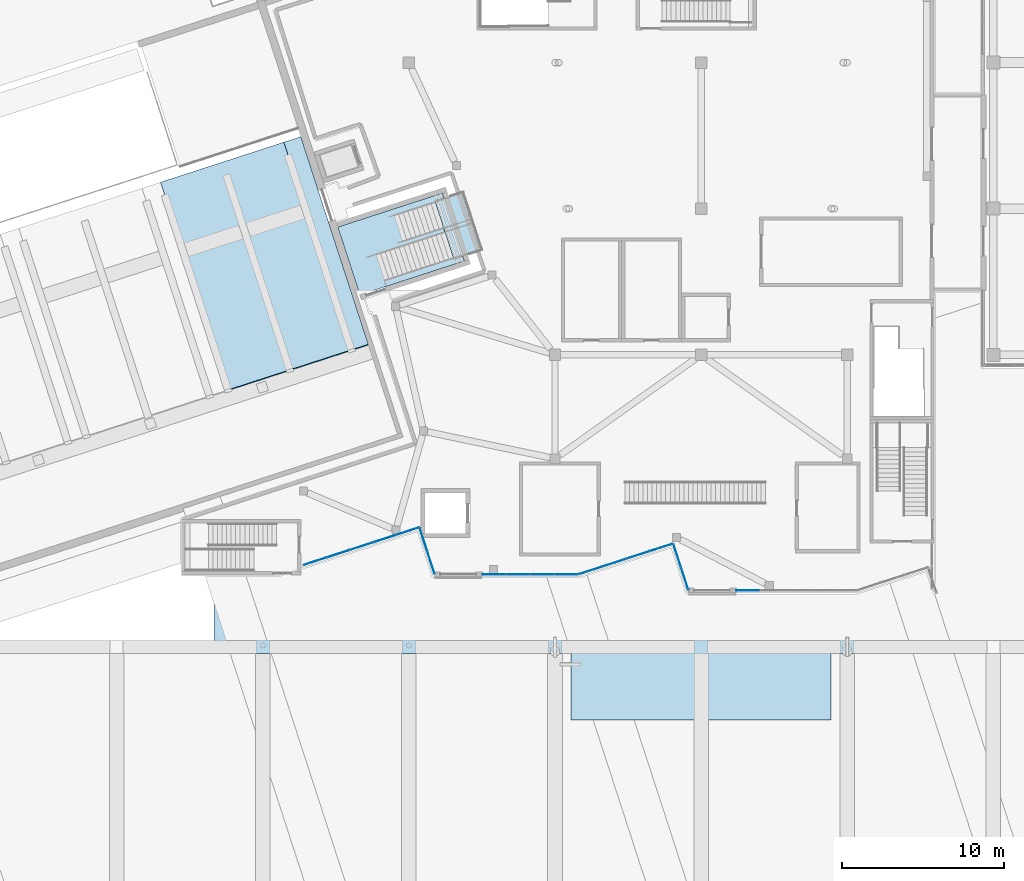
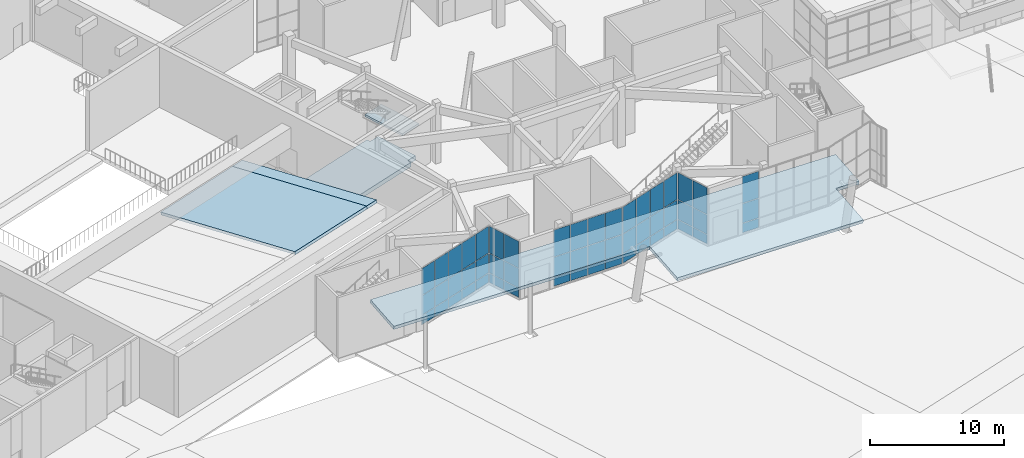
# One storey, part 44 of 72: 54 plates, 5 slabs, 7 elements without a shape of their own.
"""IFC4 building model written with IfcOpenShell, lengths in metres."""

from ifc_helpers import new_model, si_unit, direction, frame, origin, origin_2d, place, context, subcontext, project, spatial, polyline, rectangle, outline, extrude, material, layer, layer_set, type_object, element, aggregate, save


model = new_model("IFC4")

# Units and contexts
model_context = context("Model", 3, precision=1e-05, world=origin(), true_north=direction((0.0, 1.0)))
body_context = subcontext(model_context, "Body", "Model", "MODEL_VIEW")
ifc_project = project(units=[si_unit("LENGTHUNIT", "METRE"), si_unit("AREAUNIT", "SQUARE_METRE"), si_unit("VOLUMEUNIT", "CUBIC_METRE"), si_unit("PLANEANGLEUNIT", "RADIAN"), si_unit("MASSUNIT", "GRAM", prefix="KILO")], contexts=[model_context])

# Site, building, storey
site_placement = place(None, origin())
site = spatial("IfcSite", under=ifc_project, at=site_placement, CompositionType="ELEMENT")
building_placement = place(site_placement, origin())
building = spatial("IfcBuilding", under=site, at=building_placement, Name="Tuart Plaza Theatre", CompositionType="ELEMENT")
storey_placement = place(building_placement, origin())
storey = spatial("IfcBuildingStorey", under=building, at=storey_placement, Name="L00", CompositionType="ELEMENT", Elevation=0.0)

# Curtain wall, plates
ifc_material_1 = material(Name="Aluminium and glass", Category="aluminium")
ifc_layer_1 = layer(ifc_material_1, 0.10009765625)
ifc_layer_set_1 = layer_set([ifc_layer_1], Name="CURTAIN WALL 1500 module")
curtain_wall_type = type_object("IfcCurtainWallType", Name="CURTAIN WALL 1500 module", PredefinedType="NOTDEFINED", material=ifc_layer_set_1)
curtain_wall_1_placement = place(storey_placement, origin())
curtain_wall_1 = element("IfcCurtainWall", 1, at=curtain_wall_1_placement, inside=storey, type_object=curtain_wall_type, Name="CW1", PredefinedType="NOTDEFINED")
ifc_material_2 = material(Name="Glass", Category="glass")
ifc_layer_2 = layer(ifc_material_2, 0.028076171875)
ifc_layer_set_2 = layer_set([ifc_layer_2], Name="CURTAIN PANEL double glazed 28")
plate_type = type_object("IfcPlateType", Name="CURTAIN PANEL double glazed 28", PredefinedType="CURTAIN_PANEL", material=ifc_layer_set_2)
plate_1_placement = place(storey_placement, frame((72.2275390625, 43.281494140625, 0.0498046875), z_axis=(0.0, 0.0, 1.0), x_axis=(0.951066723155, 0.308985579126, 0.0)))
plate_1 = element("IfcPlate", 2, at=plate_1_placement, type_object=plate_type, Name="CW1 panel 1.1", PredefinedType="CURTAIN_PANEL", context=body_context, shape_type="SweptSolid", body=[
    extrude(rectangle(XDim=1.429931640625, YDim=0.028076171875, at=origin_2d()), origin(), (0.0, 0.0, 1.0), 0.824951171875),
])
plate_2_placement = place(storey_placement, frame((72.2275390625, 43.281494140625, 0.925048828125), z_axis=(0.0, 0.0, 1.0), x_axis=(0.951066723155, 0.308985579126, 0.0)))
plate_2 = element("IfcPlate", 3, at=plate_2_placement, type_object=plate_type, Name="CW1 panel 1.2", PredefinedType="CURTAIN_PANEL", context=body_context, shape_type="SweptSolid", body=[
    extrude(rectangle(XDim=1.429931640625, YDim=0.028076171875, at=origin_2d()), origin(), (0.0, 0.0, 1.0), 1.75),
])
plate_3_placement = place(storey_placement, frame((72.2275390625, 43.281494140625, 2.72509765625), z_axis=(0.0, 0.0, 1.0), x_axis=(0.951066723155, 0.308985579126, 0.0)))
plate_3 = element("IfcPlate", 4, at=plate_3_placement, type_object=plate_type, Name="CW1 panel 1.3", PredefinedType="CURTAIN_PANEL", context=body_context, shape_type="SweptSolid", body=[
    extrude(rectangle(XDim=1.429931640625, YDim=0.028076171875, at=origin_2d()), origin(), (0.0, 0.0, 1.0), 2.425048828125),
])
plate_4_placement = place(storey_placement, frame((73.64697265625, 43.742431640625, 0.0498046875), z_axis=(0.0, 0.0, 1.0), x_axis=(0.951066723155, 0.308985579126, 0.0)))
plate_4 = element("IfcPlate", 5, at=plate_4_placement, type_object=plate_type, Name="CW1 panel 2.1", PredefinedType="CURTAIN_PANEL", context=body_context, shape_type="SweptSolid", body=[
    extrude(rectangle(XDim=1.454833984375, YDim=0.028076171875, at=origin_2d()), origin(), (0.0, 0.0, 1.0), 0.824951171875),
])
plate_5_placement = place(storey_placement, frame((73.64697265625, 43.742431640625, 0.925048828125), z_axis=(0.0, 0.0, 1.0), x_axis=(0.951066723155, 0.308985579126, 0.0)))
plate_5 = element("IfcPlate", 6, at=plate_5_placement, type_object=plate_type, Name="CW1 panel 2.2", PredefinedType="CURTAIN_PANEL", context=body_context, shape_type="SweptSolid", body=[
    extrude(rectangle(XDim=1.454833984375, YDim=0.028076171875, at=origin_2d()), origin(), (0.0, 0.0, 1.0), 1.75),
])
plate_6_placement = place(storey_placement, frame((73.64697265625, 43.742431640625, 2.72509765625), z_axis=(0.0, 0.0, 1.0), x_axis=(0.951066723155, 0.308985579126, 0.0)))
plate_6 = element("IfcPlate", 7, at=plate_6_placement, type_object=plate_type, Name="CW1 panel 2.3", PredefinedType="CURTAIN_PANEL", context=body_context, shape_type="SweptSolid", body=[
    extrude(rectangle(XDim=1.454833984375, YDim=0.028076171875, at=origin_2d()), origin(), (0.0, 0.0, 1.0), 2.425048828125),
])
plate_7_placement = place(storey_placement, frame((75.078125, 44.20751953125, 0.0498046875), z_axis=(0.0, 0.0, 1.0), x_axis=(0.951066723155, 0.308985579126, 0.0)))
plate_7 = element("IfcPlate", 8, at=plate_7_placement, type_object=plate_type, Name="CW1 panel 3.1", PredefinedType="CURTAIN_PANEL", context=body_context, shape_type="SweptSolid", body=[
    extrude(rectangle(XDim=1.454833984375, YDim=0.028076171875, at=origin_2d()), origin(), (0.0, 0.0, 1.0), 0.824951171875),
])
plate_8_placement = place(storey_placement, frame((75.078125, 44.20751953125, 0.925048828125), z_axis=(0.0, 0.0, 1.0), x_axis=(0.951066723155, 0.308985579126, 0.0)))
plate_8 = element("IfcPlate", 9, at=plate_8_placement, type_object=plate_type, Name="CW1 panel 3.2", PredefinedType="CURTAIN_PANEL", context=body_context, shape_type="SweptSolid", body=[
    extrude(rectangle(XDim=1.454833984375, YDim=0.028076171875, at=origin_2d()), origin(), (0.0, 0.0, 1.0), 1.75),
])
plate_9_placement = place(storey_placement, frame((75.078125, 44.20751953125, 2.72509765625), z_axis=(0.0, 0.0, 1.0), x_axis=(0.951066723155, 0.308985579126, 0.0)))
plate_9 = element("IfcPlate", 10, at=plate_9_placement, type_object=plate_type, Name="CW1 panel 3.3", PredefinedType="CURTAIN_PANEL", context=body_context, shape_type="SweptSolid", body=[
    extrude(rectangle(XDim=1.454833984375, YDim=0.028076171875, at=origin_2d()), origin(), (0.0, 0.0, 1.0), 2.425048828125),
])
plate_10_placement = place(storey_placement, frame((76.509521484375, 44.672607421875, 0.0498046875), z_axis=(0.0, 0.0, 1.0), x_axis=(0.951066723155, 0.308985579126, 0.0)))
plate_10 = element("IfcPlate", 11, at=plate_10_placement, type_object=plate_type, Name="CW1 panel 4.1", PredefinedType="CURTAIN_PANEL", context=body_context, shape_type="SweptSolid", body=[
    extrude(rectangle(XDim=1.454833984375, YDim=0.028076171875, at=origin_2d()), origin(), (0.0, 0.0, 1.0), 0.824951171875),
])
plate_11_placement = place(storey_placement, frame((76.509521484375, 44.672607421875, 0.925048828125), z_axis=(0.0, 0.0, 1.0), x_axis=(0.951066723155, 0.308985579126, 0.0)))
plate_11 = element("IfcPlate", 12, at=plate_11_placement, type_object=plate_type, Name="CW1 panel 4.2", PredefinedType="CURTAIN_PANEL", context=body_context, shape_type="SweptSolid", body=[
    extrude(rectangle(XDim=1.454833984375, YDim=0.028076171875, at=origin_2d()), origin(), (0.0, 0.0, 1.0), 1.75),
])
plate_12_placement = place(storey_placement, frame((76.509521484375, 44.672607421875, 2.72509765625), z_axis=(0.0, 0.0, 1.0), x_axis=(0.951066723155, 0.308985579126, 0.0)))
plate_12 = element("IfcPlate", 13, at=plate_12_placement, type_object=plate_type, Name="CW1 panel 4.3", PredefinedType="CURTAIN_PANEL", context=body_context, shape_type="SweptSolid", body=[
    extrude(rectangle(XDim=1.454833984375, YDim=0.028076171875, at=origin_2d()), origin(), (0.0, 0.0, 1.0), 2.425048828125),
])
plate_13_placement = place(storey_placement, frame((77.9287109375, 45.133544921875, 0.0498046875), z_axis=(0.0, 0.0, 1.0), x_axis=(0.951066723155, 0.308985579126, 0.0)))
plate_13 = element("IfcPlate", 14, at=plate_13_placement, type_object=plate_type, Name="CW1 panel 5.1", PredefinedType="CURTAIN_PANEL", context=body_context, shape_type="SweptSolid", body=[
    extrude(rectangle(XDim=1.429931640625, YDim=0.028076171875, at=origin_2d()), origin(), (0.0, 0.0, 1.0), 0.824951171875),
])
plate_14_placement = place(storey_placement, frame((77.9287109375, 45.133544921875, 0.925048828125), z_axis=(0.0, 0.0, 1.0), x_axis=(0.951066723155, 0.308985579126, 0.0)))
plate_14 = element("IfcPlate", 15, at=plate_14_placement, type_object=plate_type, Name="CW1 panel 5.2", PredefinedType="CURTAIN_PANEL", context=body_context, shape_type="SweptSolid", body=[
    extrude(rectangle(XDim=1.429931640625, YDim=0.028076171875, at=origin_2d()), origin(), (0.0, 0.0, 1.0), 1.75),
])
plate_15_placement = place(storey_placement, frame((77.9287109375, 45.133544921875, 2.72509765625), z_axis=(0.0, 0.0, 1.0), x_axis=(0.951066723155, 0.308985579126, 0.0)))
plate_15 = element("IfcPlate", 16, at=plate_15_placement, type_object=plate_type, Name="CW1 panel 5.3", PredefinedType="CURTAIN_PANEL", context=body_context, shape_type="SweptSolid", body=[
    extrude(rectangle(XDim=1.429931640625, YDim=0.028076171875, at=origin_2d()), origin(), (0.0, 0.0, 1.0), 2.425048828125),
])
aggregate(curtain_wall_1, [plate_1, plate_2, plate_3, plate_4, plate_5, plate_6, plate_7, plate_8, plate_9, plate_10, plate_11, plate_12, plate_13, plate_14, plate_15])

curtain_wall_2_placement = place(storey_placement, origin())
curtain_wall_2 = element("IfcCurtainWall", 17, at=curtain_wall_2_placement, inside=storey, type_object=curtain_wall_type, Name="CW2", PredefinedType="NOTDEFINED")
plate_16_placement = place(storey_placement, frame((78.89501953125, 44.635009765625, 0.0498046875), z_axis=(0.0, 0.0, 1.0), x_axis=(0.309018232516, -0.951056113998, 0.0)))
plate_16 = element("IfcPlate", 18, at=plate_16_placement, type_object=plate_type, Name="CW2 panel 1.1", PredefinedType="CURTAIN_PANEL", context=body_context, shape_type="SweptSolid", body=[
    extrude(rectangle(XDim=1.4453125, YDim=0.028076171875, at=origin_2d()), origin(), (0.0, 0.0, 1.0), 0.824951171875),
])
plate_17_placement = place(storey_placement, frame((78.89501953125, 44.635009765625, 0.925048828125), z_axis=(0.0, 0.0, 1.0), x_axis=(0.309018232516, -0.951056113998, 0.0)))
plate_17 = element("IfcPlate", 19, at=plate_17_placement, type_object=plate_type, Name="CW2 panel 1.2", PredefinedType="CURTAIN_PANEL", context=body_context, shape_type="SweptSolid", body=[
    extrude(rectangle(XDim=1.4453125, YDim=0.028076171875, at=origin_2d()), origin(), (0.0, 0.0, 1.0), 1.75),
])
plate_18_placement = place(storey_placement, frame((78.89501953125, 44.635009765625, 2.72509765625), z_axis=(0.0, 0.0, 1.0), x_axis=(0.309018232516, -0.951056113998, 0.0)))
plate_18 = element("IfcPlate", 20, at=plate_18_placement, type_object=plate_type, Name="CW2 panel 1.3", PredefinedType="CURTAIN_PANEL", context=body_context, shape_type="SweptSolid", body=[
    extrude(rectangle(XDim=1.4453125, YDim=0.028076171875, at=origin_2d()), origin(), (0.0, 0.0, 1.0), 2.425048828125),
])
plate_19_placement = place(storey_placement, frame((79.357177734375, 43.212890625, 0.0498046875), z_axis=(0.0, 0.0, 1.0), x_axis=(0.309018232516, -0.951056113998, 0.0)))
plate_19 = element("IfcPlate", 21, at=plate_19_placement, type_object=plate_type, Name="CW2 panel 2.1", PredefinedType="CURTAIN_PANEL", context=body_context, shape_type="SweptSolid", body=[
    extrude(rectangle(XDim=1.4453125, YDim=0.028076171875, at=origin_2d()), origin(), (0.0, 0.0, 1.0), 0.824951171875),
])
plate_20_placement = place(storey_placement, frame((79.357177734375, 43.212890625, 0.925048828125), z_axis=(0.0, 0.0, 1.0), x_axis=(0.309018232516, -0.951056113998, 0.0)))
plate_20 = element("IfcPlate", 22, at=plate_20_placement, type_object=plate_type, Name="CW2 panel 2.2", PredefinedType="CURTAIN_PANEL", context=body_context, shape_type="SweptSolid", body=[
    extrude(rectangle(XDim=1.4453125, YDim=0.028076171875, at=origin_2d()), origin(), (0.0, 0.0, 1.0), 1.75),
])
plate_21_placement = place(storey_placement, frame((79.357177734375, 43.212890625, 2.72509765625), z_axis=(0.0, 0.0, 1.0), x_axis=(0.309018232516, -0.951056113998, 0.0)))
plate_21 = element("IfcPlate", 23, at=plate_21_placement, type_object=plate_type, Name="CW2 panel 2.3", PredefinedType="CURTAIN_PANEL", context=body_context, shape_type="SweptSolid", body=[
    extrude(rectangle(XDim=1.4453125, YDim=0.028076171875, at=origin_2d()), origin(), (0.0, 0.0, 1.0), 2.425048828125),
])
aggregate(curtain_wall_2, [plate_16, plate_17, plate_18, plate_19, plate_20, plate_21])

curtain_wall_3_placement = place(storey_placement, origin())
curtain_wall_3 = element("IfcCurtainWall", 24, at=curtain_wall_3_placement, inside=storey, type_object=curtain_wall_type, Name="CW3", PredefinedType="NOTDEFINED")
plate_22_placement = place(storey_placement, frame((83.24658203125, 42.47802734375, 0.0498046875), z_axis=(0.0, 0.0, 1.0), x_axis=(1.0, 0.0, 0.0)))
plate_22 = element("IfcPlate", 25, at=plate_22_placement, type_object=plate_type, Name="CW3 panel 1.1", PredefinedType="CURTAIN_PANEL", context=body_context, shape_type="SweptSolid", body=[
    extrude(rectangle(XDim=1.4189453125, YDim=0.028076171875, at=origin_2d()), origin(), (0.0, 0.0, 1.0), 0.824951171875),
])
plate_23_placement = place(storey_placement, frame((83.24658203125, 42.47802734375, 0.925048828125), z_axis=(0.0, 0.0, 1.0), x_axis=(1.0, 0.0, 0.0)))
plate_23 = element("IfcPlate", 26, at=plate_23_placement, type_object=plate_type, Name="CW3 panel 1.2", PredefinedType="CURTAIN_PANEL", context=body_context, shape_type="SweptSolid", body=[
    extrude(rectangle(XDim=1.4189453125, YDim=0.028076171875, at=origin_2d()), origin(), (0.0, 0.0, 1.0), 1.75),
])
plate_24_placement = place(storey_placement, frame((83.24658203125, 42.47802734375, 2.72509765625), z_axis=(0.0, 0.0, 1.0), x_axis=(1.0, 0.0, 0.0)))
plate_24 = element("IfcPlate", 27, at=plate_24_placement, type_object=plate_type, Name="CW3 panel 1.3", PredefinedType="CURTAIN_PANEL", context=body_context, shape_type="SweptSolid", body=[
    extrude(rectangle(XDim=1.4189453125, YDim=0.028076171875, at=origin_2d()), origin(), (0.0, 0.0, 1.0), 2.425048828125),
])
plate_25_placement = place(storey_placement, frame((84.72802734375, 42.47802734375, 0.0498046875), z_axis=(0.0, 0.0, 1.0), x_axis=(1.0, 0.0, 0.0)))
plate_25 = element("IfcPlate", 28, at=plate_25_placement, type_object=plate_type, Name="CW3 panel 2.1", PredefinedType="CURTAIN_PANEL", context=body_context, shape_type="SweptSolid", body=[
    extrude(rectangle(XDim=1.444091796875, YDim=0.028076171875, at=origin_2d()), origin(), (0.0, 0.0, 1.0), 0.824951171875),
])
plate_26_placement = place(storey_placement, frame((84.72802734375, 42.47802734375, 0.925048828125), z_axis=(0.0, 0.0, 1.0), x_axis=(1.0, 0.0, 0.0)))
plate_26 = element("IfcPlate", 29, at=plate_26_placement, type_object=plate_type, Name="CW3 panel 2.2", PredefinedType="CURTAIN_PANEL", context=body_context, shape_type="SweptSolid", body=[
    extrude(rectangle(XDim=1.444091796875, YDim=0.028076171875, at=origin_2d()), origin(), (0.0, 0.0, 1.0), 1.75),
])
plate_27_placement = place(storey_placement, frame((84.72802734375, 42.47802734375, 2.72509765625), z_axis=(0.0, 0.0, 1.0), x_axis=(1.0, 0.0, 0.0)))
plate_27 = element("IfcPlate", 30, at=plate_27_placement, type_object=plate_type, Name="CW3 panel 2.3", PredefinedType="CURTAIN_PANEL", context=body_context, shape_type="SweptSolid", body=[
    extrude(rectangle(XDim=1.444091796875, YDim=0.028076171875, at=origin_2d()), origin(), (0.0, 0.0, 1.0), 2.425048828125),
])
plate_28_placement = place(storey_placement, frame((86.22216796875, 42.47802734375, 0.0498046875), z_axis=(0.0, 0.0, 1.0), x_axis=(1.0, 0.0, 0.0)))
plate_28 = element("IfcPlate", 31, at=plate_28_placement, type_object=plate_type, Name="CW3 panel 3.1", PredefinedType="CURTAIN_PANEL", context=body_context, shape_type="SweptSolid", body=[
    extrude(rectangle(XDim=1.444091796875, YDim=0.028076171875, at=origin_2d()), origin(), (0.0, 0.0, 1.0), 0.824951171875),
])
plate_29_placement = place(storey_placement, frame((86.22216796875, 42.47802734375, 0.925048828125), z_axis=(0.0, 0.0, 1.0), x_axis=(1.0, 0.0, 0.0)))
plate_29 = element("IfcPlate", 32, at=plate_29_placement, type_object=plate_type, Name="CW3 panel 3.2", PredefinedType="CURTAIN_PANEL", context=body_context, shape_type="SweptSolid", body=[
    extrude(rectangle(XDim=1.444091796875, YDim=0.028076171875, at=origin_2d()), origin(), (0.0, 0.0, 1.0), 1.75),
])
plate_30_placement = place(storey_placement, frame((86.22216796875, 42.47802734375, 2.72509765625), z_axis=(0.0, 0.0, 1.0), x_axis=(1.0, 0.0, 0.0)))
plate_30 = element("IfcPlate", 33, at=plate_30_placement, type_object=plate_type, Name="CW3 panel 3.3", PredefinedType="CURTAIN_PANEL", context=body_context, shape_type="SweptSolid", body=[
    extrude(rectangle(XDim=1.444091796875, YDim=0.028076171875, at=origin_2d()), origin(), (0.0, 0.0, 1.0), 2.425048828125),
])
plate_31_placement = place(storey_placement, frame((87.70361328125, 42.47802734375, 0.0498046875), z_axis=(0.0, 0.0, 1.0), x_axis=(1.0, 0.0, 0.0)))
plate_31 = element("IfcPlate", 34, at=plate_31_placement, type_object=plate_type, Name="CW3 panel 4.1", PredefinedType="CURTAIN_PANEL", context=body_context, shape_type="SweptSolid", body=[
    extrude(rectangle(XDim=1.4189453125, YDim=0.028076171875, at=origin_2d()), origin(), (0.0, 0.0, 1.0), 0.824951171875),
])
plate_32_placement = place(storey_placement, frame((87.70361328125, 42.47802734375, 0.925048828125), z_axis=(0.0, 0.0, 1.0), x_axis=(1.0, 0.0, 0.0)))
plate_32 = element("IfcPlate", 35, at=plate_32_placement, type_object=plate_type, Name="CW3 panel 4.2", PredefinedType="CURTAIN_PANEL", context=body_context, shape_type="SweptSolid", body=[
    extrude(rectangle(XDim=1.4189453125, YDim=0.028076171875, at=origin_2d()), origin(), (0.0, 0.0, 1.0), 1.75),
])
plate_33_placement = place(storey_placement, frame((87.70361328125, 42.47802734375, 2.72509765625), z_axis=(0.0, 0.0, 1.0), x_axis=(1.0, 0.0, 0.0)))
plate_33 = element("IfcPlate", 36, at=plate_33_placement, type_object=plate_type, Name="CW3 panel 4.3", PredefinedType="CURTAIN_PANEL", context=body_context, shape_type="SweptSolid", body=[
    extrude(rectangle(XDim=1.4189453125, YDim=0.028076171875, at=origin_2d()), origin(), (0.0, 0.0, 1.0), 2.425048828125),
])
aggregate(curtain_wall_3, [plate_22, plate_23, plate_24, plate_25, plate_26, plate_27, plate_28, plate_29, plate_30, plate_31, plate_32, plate_33])

curtain_wall_4_placement = place(storey_placement, origin())
curtain_wall_4 = element("IfcCurtainWall", 37, at=curtain_wall_4_placement, inside=storey, type_object=curtain_wall_type, Name="CW4", PredefinedType="NOTDEFINED")
plate_34_placement = place(storey_placement, frame((89.203369140625, 42.718505859375, 0.0498046875), z_axis=(0.0, 0.0, 1.0), x_axis=(0.95105611396, 0.309018232632, 0.0)))
plate_34 = element("IfcPlate", 38, at=plate_34_placement, type_object=plate_type, Name="CW4 panel 1.1", PredefinedType="CURTAIN_PANEL", context=body_context, shape_type="SweptSolid", body=[
    extrude(rectangle(XDim=1.45654296875, YDim=0.028076171875, at=origin_2d()), origin(), (0.0, 0.0, 1.0), 0.824951171875),
])
plate_35_placement = place(storey_placement, frame((89.203369140625, 42.718505859375, 0.925048828125), z_axis=(0.0, 0.0, 1.0), x_axis=(0.95105611396, 0.309018232632, 0.0)))
plate_35 = element("IfcPlate", 39, at=plate_35_placement, type_object=plate_type, Name="CW4 panel 1.2", PredefinedType="CURTAIN_PANEL", context=body_context, shape_type="SweptSolid", body=[
    extrude(rectangle(XDim=1.45654296875, YDim=0.028076171875, at=origin_2d()), origin(), (0.0, 0.0, 1.0), 1.75),
])
plate_36_placement = place(storey_placement, frame((89.203369140625, 42.718505859375, 2.72509765625), z_axis=(0.0, 0.0, 1.0), x_axis=(0.95105611396, 0.309018232632, 0.0)))
plate_36 = element("IfcPlate", 40, at=plate_36_placement, type_object=plate_type, Name="CW4 panel 1.3", PredefinedType="CURTAIN_PANEL", context=body_context, shape_type="SweptSolid", body=[
    extrude(rectangle(XDim=1.45654296875, YDim=0.028076171875, at=origin_2d()), origin(), (0.0, 0.0, 1.0), 2.425048828125),
])
plate_37_placement = place(storey_placement, frame((90.64794921875, 43.18798828125, 0.0498046875), z_axis=(0.0, 0.0, 1.0), x_axis=(0.95105611396, 0.309018232632, 0.0)))
plate_37 = element("IfcPlate", 41, at=plate_37_placement, type_object=plate_type, Name="CW4 panel 2.1", PredefinedType="CURTAIN_PANEL", context=body_context, shape_type="SweptSolid", body=[
    extrude(rectangle(XDim=1.4814453125, YDim=0.028076171875, at=origin_2d()), origin(), (0.0, 0.0, 1.0), 0.824951171875),
])
plate_38_placement = place(storey_placement, frame((90.64794921875, 43.18798828125, 0.925048828125), z_axis=(0.0, 0.0, 1.0), x_axis=(0.95105611396, 0.309018232632, 0.0)))
plate_38 = element("IfcPlate", 42, at=plate_38_placement, type_object=plate_type, Name="CW4 panel 2.2", PredefinedType="CURTAIN_PANEL", context=body_context, shape_type="SweptSolid", body=[
    extrude(rectangle(XDim=1.4814453125, YDim=0.028076171875, at=origin_2d()), origin(), (0.0, 0.0, 1.0), 1.75),
])
plate_39_placement = place(storey_placement, frame((90.64794921875, 43.18798828125, 2.72509765625), z_axis=(0.0, 0.0, 1.0), x_axis=(0.95105611396, 0.309018232632, 0.0)))
plate_39 = element("IfcPlate", 43, at=plate_39_placement, type_object=plate_type, Name="CW4 panel 2.3", PredefinedType="CURTAIN_PANEL", context=body_context, shape_type="SweptSolid", body=[
    extrude(rectangle(XDim=1.4814453125, YDim=0.028076171875, at=origin_2d()), origin(), (0.0, 0.0, 1.0), 2.425048828125),
])
plate_40_placement = place(storey_placement, frame((92.1044921875, 43.6611328125, 0.0498046875), z_axis=(0.0, 0.0, 1.0), x_axis=(0.95105611396, 0.309018232632, 0.0)))
plate_40 = element("IfcPlate", 44, at=plate_40_placement, type_object=plate_type, Name="CW4 panel 3.1", PredefinedType="CURTAIN_PANEL", context=body_context, shape_type="SweptSolid", body=[
    extrude(rectangle(XDim=1.4814453125, YDim=0.028076171875, at=origin_2d()), origin(), (0.0, 0.0, 1.0), 0.824951171875),
])
plate_41_placement = place(storey_placement, frame((92.1044921875, 43.6611328125, 0.925048828125), z_axis=(0.0, 0.0, 1.0), x_axis=(0.95105611396, 0.309018232632, 0.0)))
plate_41 = element("IfcPlate", 45, at=plate_41_placement, type_object=plate_type, Name="CW4 panel 3.2", PredefinedType="CURTAIN_PANEL", context=body_context, shape_type="SweptSolid", body=[
    extrude(rectangle(XDim=1.4814453125, YDim=0.028076171875, at=origin_2d()), origin(), (0.0, 0.0, 1.0), 1.75),
])
plate_42_placement = place(storey_placement, frame((92.1044921875, 43.6611328125, 2.72509765625), z_axis=(0.0, 0.0, 1.0), x_axis=(0.95105611396, 0.309018232632, 0.0)))
plate_42 = element("IfcPlate", 46, at=plate_42_placement, type_object=plate_type, Name="CW4 panel 3.3", PredefinedType="CURTAIN_PANEL", context=body_context, shape_type="SweptSolid", body=[
    extrude(rectangle(XDim=1.4814453125, YDim=0.028076171875, at=origin_2d()), origin(), (0.0, 0.0, 1.0), 2.425048828125),
])
plate_43_placement = place(storey_placement, frame((93.549072265625, 44.130615234375, 0.0498046875), z_axis=(0.0, 0.0, 1.0), x_axis=(0.95105611396, 0.309018232632, 0.0)))
plate_43 = element("IfcPlate", 47, at=plate_43_placement, type_object=plate_type, Name="CW4 panel 4.1", PredefinedType="CURTAIN_PANEL", context=body_context, shape_type="SweptSolid", body=[
    extrude(rectangle(XDim=1.45654296875, YDim=0.028076171875, at=origin_2d()), origin(), (0.0, 0.0, 1.0), 0.824951171875),
])
plate_44_placement = place(storey_placement, frame((93.549072265625, 44.130615234375, 0.925048828125), z_axis=(0.0, 0.0, 1.0), x_axis=(0.95105611396, 0.309018232632, 0.0)))
plate_44 = element("IfcPlate", 48, at=plate_44_placement, type_object=plate_type, Name="CW4 panel 4.2", PredefinedType="CURTAIN_PANEL", context=body_context, shape_type="SweptSolid", body=[
    extrude(rectangle(XDim=1.45654296875, YDim=0.028076171875, at=origin_2d()), origin(), (0.0, 0.0, 1.0), 1.75),
])
plate_45_placement = place(storey_placement, frame((93.549072265625, 44.130615234375, 2.72509765625), z_axis=(0.0, 0.0, 1.0), x_axis=(0.95105611396, 0.309018232632, 0.0)))
plate_45 = element("IfcPlate", 49, at=plate_45_placement, type_object=plate_type, Name="CW4 panel 4.3", PredefinedType="CURTAIN_PANEL", context=body_context, shape_type="SweptSolid", body=[
    extrude(rectangle(XDim=1.45654296875, YDim=0.028076171875, at=origin_2d()), origin(), (0.0, 0.0, 1.0), 2.425048828125),
])
aggregate(curtain_wall_4, [plate_34, plate_35, plate_36, plate_37, plate_38, plate_39, plate_40, plate_41, plate_42, plate_43, plate_44, plate_45])

curtain_wall_5_placement = place(storey_placement, origin())
curtain_wall_5 = element("IfcCurtainWall", 50, at=curtain_wall_5_placement, inside=storey, type_object=curtain_wall_type, Name="CW5", PredefinedType="NOTDEFINED")
plate_46_placement = place(storey_placement, frame((94.528076171875, 43.63623046875, 0.0498046875), z_axis=(0.0, 0.0, 1.0), x_axis=(0.309018232665, -0.951056113949, 0.0)))
plate_46 = element("IfcPlate", 51, at=plate_46_placement, type_object=plate_type, Name="CW5 panel 1.1", PredefinedType="CURTAIN_PANEL", context=body_context, shape_type="SweptSolid", body=[
    extrude(rectangle(XDim=1.4453125, YDim=0.028076171875, at=origin_2d()), origin(), (0.0, 0.0, 1.0), 0.824951171875),
])
plate_47_placement = place(storey_placement, frame((94.528076171875, 43.63623046875, 0.925048828125), z_axis=(0.0, 0.0, 1.0), x_axis=(0.309018232665, -0.951056113949, 0.0)))
plate_47 = element("IfcPlate", 52, at=plate_47_placement, type_object=plate_type, Name="CW5 panel 1.2", PredefinedType="CURTAIN_PANEL", context=body_context, shape_type="SweptSolid", body=[
    extrude(rectangle(XDim=1.4453125, YDim=0.028076171875, at=origin_2d()), origin(), (0.0, 0.0, 1.0), 1.75),
])
plate_48_placement = place(storey_placement, frame((94.528076171875, 43.63623046875, 2.72509765625), z_axis=(0.0, 0.0, 1.0), x_axis=(0.309018232665, -0.951056113949, 0.0)))
plate_48 = element("IfcPlate", 53, at=plate_48_placement, type_object=plate_type, Name="CW5 panel 1.3", PredefinedType="CURTAIN_PANEL", context=body_context, shape_type="SweptSolid", body=[
    extrude(rectangle(XDim=1.4453125, YDim=0.028076171875, at=origin_2d()), origin(), (0.0, 0.0, 1.0), 2.425048828125),
])
plate_49_placement = place(storey_placement, frame((94.990234375, 42.2138671875, 0.0498046875), z_axis=(0.0, 0.0, 1.0), x_axis=(0.309018232665, -0.951056113949, 0.0)))
plate_49 = element("IfcPlate", 54, at=plate_49_placement, type_object=plate_type, Name="CW5 panel 2.1", PredefinedType="CURTAIN_PANEL", context=body_context, shape_type="SweptSolid", body=[
    extrude(rectangle(XDim=1.4453125, YDim=0.028076171875, at=origin_2d()), origin(), (0.0, 0.0, 1.0), 0.824951171875),
])
plate_50_placement = place(storey_placement, frame((94.990234375, 42.2138671875, 0.925048828125), z_axis=(0.0, 0.0, 1.0), x_axis=(0.309018232665, -0.951056113949, 0.0)))
plate_50 = element("IfcPlate", 55, at=plate_50_placement, type_object=plate_type, Name="CW5 panel 2.2", PredefinedType="CURTAIN_PANEL", context=body_context, shape_type="SweptSolid", body=[
    extrude(rectangle(XDim=1.4453125, YDim=0.028076171875, at=origin_2d()), origin(), (0.0, 0.0, 1.0), 1.75),
])
plate_51_placement = place(storey_placement, frame((94.990234375, 42.2138671875, 2.72509765625), z_axis=(0.0, 0.0, 1.0), x_axis=(0.309018232665, -0.951056113949, 0.0)))
plate_51 = element("IfcPlate", 56, at=plate_51_placement, type_object=plate_type, Name="CW5 panel 2.3", PredefinedType="CURTAIN_PANEL", context=body_context, shape_type="SweptSolid", body=[
    extrude(rectangle(XDim=1.4453125, YDim=0.028076171875, at=origin_2d()), origin(), (0.0, 0.0, 1.0), 2.425048828125),
])
aggregate(curtain_wall_5, [plate_46, plate_47, plate_48, plate_49, plate_50, plate_51])

curtain_wall_6_placement = place(storey_placement, origin())
curtain_wall_6 = element("IfcCurtainWall", 57, at=curtain_wall_6_placement, inside=storey, type_object=curtain_wall_type, Name="CW6", PredefinedType="NOTDEFINED")
plate_52_placement = place(storey_placement, frame((98.880126953125, 41.47900390625, 0.0498046875), z_axis=(0.0, 0.0, 1.0), x_axis=(1.0, 0.0, 0.0)))
plate_52 = element("IfcPlate", 58, at=plate_52_placement, type_object=plate_type, Name="CW6 panel 1.1", PredefinedType="CURTAIN_PANEL", context=body_context, shape_type="SweptSolid", body=[
    extrude(rectangle(XDim=1.420166015625, YDim=0.028076171875, at=origin_2d()), origin(), (0.0, 0.0, 1.0), 0.824951171875),
])
plate_53_placement = place(storey_placement, frame((98.880126953125, 41.47900390625, 0.925048828125), z_axis=(0.0, 0.0, 1.0), x_axis=(1.0, 0.0, 0.0)))
plate_53 = element("IfcPlate", 59, at=plate_53_placement, type_object=plate_type, Name="CW6 panel 1.2", PredefinedType="CURTAIN_PANEL", context=body_context, shape_type="SweptSolid", body=[
    extrude(rectangle(XDim=1.420166015625, YDim=0.028076171875, at=origin_2d()), origin(), (0.0, 0.0, 1.0), 1.75),
])
plate_54_placement = place(storey_placement, frame((98.880126953125, 41.47900390625, 2.72509765625), z_axis=(0.0, 0.0, 1.0), x_axis=(1.0, 0.0, 0.0)))
plate_54 = element("IfcPlate", 60, at=plate_54_placement, type_object=plate_type, Name="CW6 panel 1.3", PredefinedType="CURTAIN_PANEL", context=body_context, shape_type="SweptSolid", body=[
    extrude(rectangle(XDim=1.420166015625, YDim=0.028076171875, at=origin_2d()), origin(), (0.0, 0.0, 1.0), 2.425048828125),
])
aggregate(curtain_wall_6, [plate_52, plate_53, plate_54])

# Slabs
ifc_material_3 = material(Name="Concrete N40 (40 MPa)", Category="concrete")
ifc_layer_3 = layer(ifc_material_3, 0.39990234375)
ifc_layer_set_3 = layer_set([ifc_layer_3], Name="SLAB Base 400 Concrete N40 (40 MPa)")
slab_type_1 = type_object("IfcSlabType", Name="SLAB Base 400 Concrete N40 (40 MPa)", PredefinedType="BASESLAB", material=ifc_layer_set_3)
slab_1_placement = place(storey_placement, frame((0.0, 0.0, -0.39990234375)))
element("IfcSlab", 61, at=slab_1_placement, inside=storey, type_object=slab_type_1, Name="S1", PredefinedType="BASESLAB", context=body_context, shape_type="SweptSolid", body=[
    extrude(outline(polyline([(81.426025390625, 61.779296875), (81.325439453125, 62.08837890625), (82.16259765625, 62.3603515625), (81.003662109375, 65.9267578125), (80.166748046875, 65.65478515625), (80.06640625, 65.9638671875), (73.622802734375, 63.870361328125), (74.982666015625, 59.685546875), (81.426025390625, 61.779296875)])), origin(), (0.0, 0.0, 1.0), 0.39990234375),
])
ifc_material_4 = material(Name="Steel S355 plate", Category="steel")
ifc_layer_4 = layer(ifc_material_4, 0.300048828125)
ifc_layer_set_4 = layer_set([ifc_layer_4], Name="SLAB Canopy 300 Steel plate S355")
slab_type_2 = type_object("IfcSlabType", Name="SLAB Canopy 300 Steel plate S355", PredefinedType="ROOF", material=ifc_layer_set_4)
slab_2_placement = place(storey_placement, frame((66.0, 37.60009765625, 5.15087890625), z_axis=(0.019913203331, -0.089635220437, 0.995775572903), x_axis=(0.999800106363, 3.0826e-08, -0.019993681897)))
element("IfcSlab", 62, at=slab_2_placement, inside=storey, type_object=slab_type_2, Name="SR16", PredefinedType="ROOF", context=body_context, shape_type="SweptSolid", body=[
    extrude(outline(polyline([(0.0, 0.0), (22.004398388523963, 0.0), (22.011773861095694, -4.116652885383113), (38.0149749078722, -4.116662830485158), (38.00759455403048, 1.1934122452997298e-05), (40.007995295036295, 7.956081635326906e-06), (40.001698564634694, 3.5141434725270284), (-0.0063016116716000485, 3.51415739566989), (0.0, 0.0)])), origin(), (0.0, 0.0, -1.0), 0.300048828125),
])
ifc_material_5 = material(Name="Concrete N40 (40 MPa)", Category="concrete")
ifc_layer_5 = layer(ifc_material_5, 0.25)
ifc_layer_set_5 = layer_set([ifc_layer_5], Name="SLAB Floor 250 Concrete N40 (40 MPa)")
slab_type_3 = type_object("IfcSlabType", Name="SLAB Floor 250 Concrete N40 (40 MPa)", PredefinedType="FLOOR", material=ifc_layer_set_5)
slab_3_placement = place(storey_placement, frame((74.451171875, 56.304931640625, 1.790283203125), z_axis=(-0.060611898601, 0.186514890847, 0.980580640866), x_axis=(0.951010855715, 0.309157487213, -2.0295554e-05)))
element("IfcSlab", 63, at=slab_3_placement, inside=storey, type_object=slab_type_3, Name="S37", PredefinedType="FLOOR", context=body_context, shape_type="SweptSolid", body=[
    extrude(outline(polyline([(0.0, 0.0), (1.1000336661199988, 0.0), (1.102108332407471, 13.717182438688228), (0.002150144189623352, 13.717410109978319), (0.0, 0.0)])), origin(), (0.0, 0.0, -1.0), 0.25),
])
ifc_material_6 = material(Name="Concrete N40 (40 MPa)", Category="concrete")
ifc_layer_6 = layer(ifc_material_6, 0.25)
ifc_layer_set_6 = layer_set([ifc_layer_6], Name="SLAB Seating Tier 250 Concrete N40 (40 MPa)")
slab_type_4 = type_object("IfcSlabType", Name="SLAB Seating Tier 250 Concrete N40 (40 MPa)", PredefinedType="USERDEFINED", material=ifc_layer_set_6)
slab_4_placement = place(storey_placement, frame((66.858642578125, 53.838134765625, 1.790283203125), z_axis=(-0.060602308727, 0.18651800674, 0.980580640916), x_axis=(0.951062433678, 0.308998781938, 2.796641e-06)))
element("IfcSlab", 64, at=slab_4_placement, inside=storey, type_object=slab_type_4, Name="TR3", ObjectType="SEATING TIER", PredefinedType="USERDEFINED", context=body_context, shape_type="SweptSolid", body=[
    extrude(outline(polyline([(0.0, 0.0), (7.983206620518884, 4.440892098500626e-16), (7.983049986050583, 13.717410277596903), (-0.00023207362404841514, 13.717182593617348), (0.0, 0.0)])), origin(), (0.0, 0.0, -1.0), 0.25),
])

# Stair, slab
ifc_material_7 = material(Name="Concrete N40 (40 MPa)", Category="concrete")
stair_type = type_object("IfcStairType", Name="STAIR half turn 1800", PredefinedType="HALF_TURN_STAIR", material=ifc_material_7)
stair_placement = place(storey_placement, origin())
stair = element("IfcStair", 65, at=stair_placement, inside=storey, type_object=stair_type, Name="SA-3", PredefinedType="HALF_TURN_STAIR")
ifc_material_8 = material(Name="Concrete N40 (40 MPa)", Category="concrete")
ifc_layer_7 = layer(ifc_material_8, 0.199951171875)
ifc_layer_set_7 = layer_set([ifc_layer_7], Name="STAIR LANDING 200")
slab_type_5 = type_object("IfcSlabType", Name="STAIR LANDING 200", PredefinedType="LANDING", material=ifc_layer_set_7)
slab_5_placement = place(storey_placement, frame((0.0, 0.0, 2.550048828125)))
slab_5 = element("IfcSlab", 66, at=slab_5_placement, type_object=slab_type_5, Name="SA-3 landing 1", PredefinedType="LANDING", context=body_context, shape_type="SweptSolid", body=[
    extrude(outline(polyline([(80.759765625, 61.904541015625), (82.5, 62.469970703125), (81.34130859375, 66.036376953125), (79.600830078125, 65.470947265625), (80.759765625, 61.904541015625)])), origin(), (0.0, 0.0, 1.0), 0.199951171875),
])
aggregate(stair, [slab_5])

save(model, "model.ifc")
